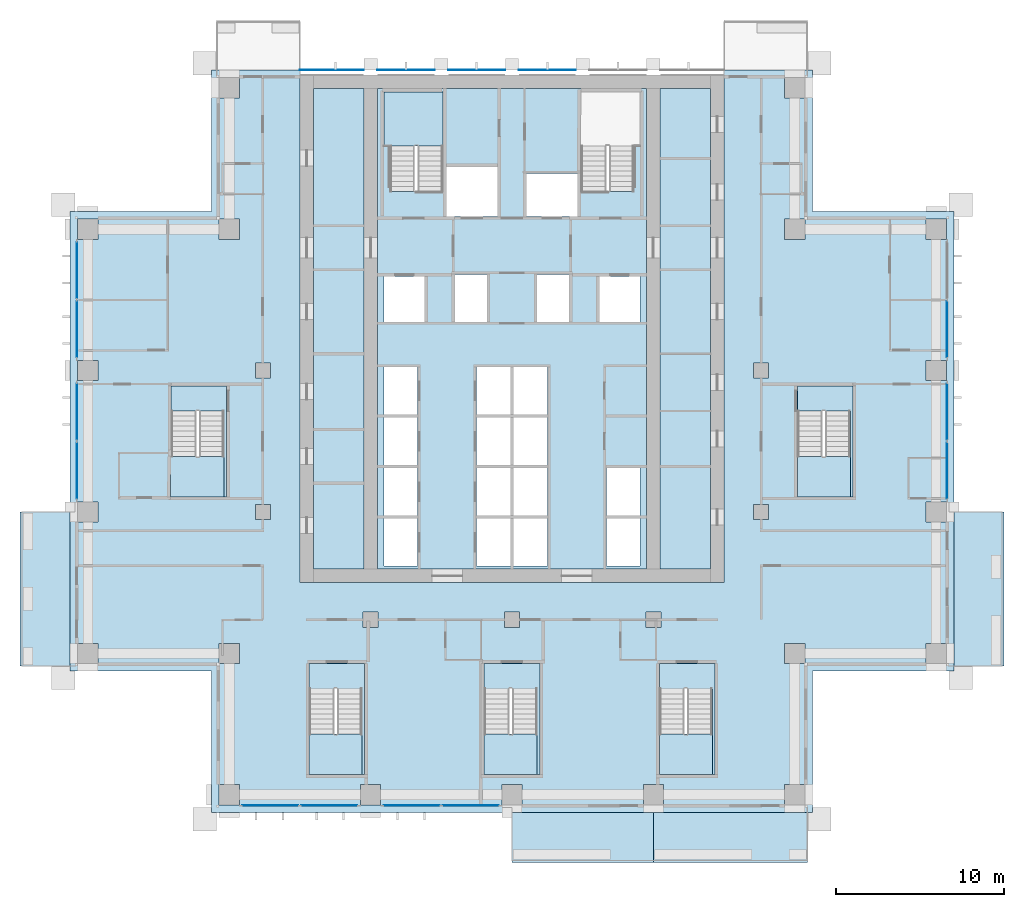
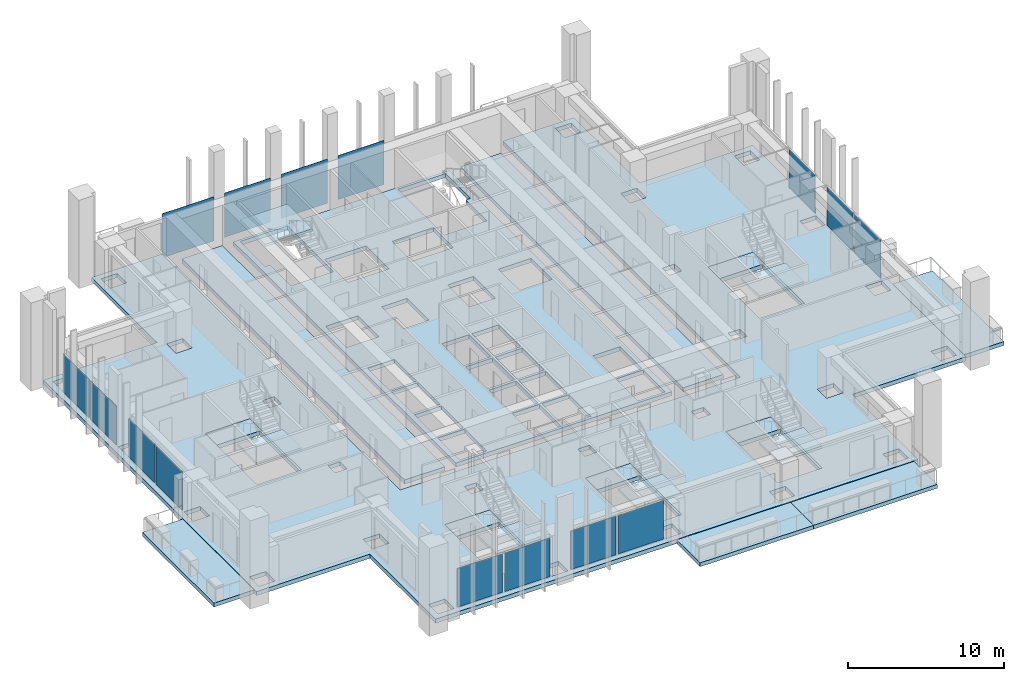
# One storey, part 7 of 19: 19 slabs, 15 plates, 12 elements without a shape of their own.
"""IFC4 building model written with IfcOpenShell, lengths in metres."""

from ifc_helpers import new_model, si_unit, direction, frame, origin, origin_2d, place, context, subcontext, project, spatial, polyline, rectangle, outline, extrude, material, layer, layer_set, type_object, element, aggregate, save


model = new_model("IFC4")

# Units and contexts
model_context = context("Model", 3, precision=1e-05, world=origin(), true_north=direction((0.0, 1.0)))
body_context = subcontext(model_context, "Body", "Model", "MODEL_VIEW")
ifc_project = project(units=[si_unit("LENGTHUNIT", "METRE"), si_unit("AREAUNIT", "SQUARE_METRE"), si_unit("VOLUMEUNIT", "CUBIC_METRE"), si_unit("PLANEANGLEUNIT", "RADIAN"), si_unit("MASSUNIT", "GRAM", prefix="KILO")], contexts=[model_context])

# Site, building, storey
site_placement = place(None, origin())
site = spatial("IfcSite", under=ifc_project, at=site_placement, CompositionType="ELEMENT")
building_placement = place(site_placement, origin())
building = spatial("IfcBuilding", under=site, at=building_placement, Name="Vermilion Ogive Tower", CompositionType="ELEMENT")
storey_placement = place(building_placement, frame((0.0, 0.0, 90.75)))
storey = spatial("IfcBuildingStorey", under=building, at=storey_placement, Name="L22", CompositionType="ELEMENT", Elevation=90.75)

# Slabs
ifc_material_1 = material(Name="Concrete B40", Category="concrete")
ifc_layer_1 = layer(ifc_material_1, 0.300048828125)
ifc_layer_set_1 = layer_set([ifc_layer_1], Name="Balcony slab")
slab_type_1 = type_object("IfcSlabType", Name="Balcony slab", PredefinedType="FLOOR", material=ifc_layer_set_1)
slab_1_placement = place(storey_placement, frame((0.0, 0.0, -0.340087890625)))
element("IfcSlab", 1, at=slab_1_placement, inside=storey, type_object=slab_type_1, Name="Balcony slab S03", PredefinedType="FLOOR", context=body_context, shape_type="SweptSolid", body=[
    extrude(outline(polyline([(0.0, -25.030029296875), (8.39990234375, -25.030029296875), (8.39990234375, -22.050048828125), (0.0, -22.050048828125), (0.0, -25.030029296875)])), origin(), (0.0, 0.0, 1.0), 0.300048828125),
])
slab_2_placement = place(storey_placement, frame((0.0, 0.0, -0.340087890625)))
element("IfcSlab", 2, at=slab_2_placement, inside=storey, type_object=slab_type_1, Name="Balcony slab S04", PredefinedType="FLOOR", context=body_context, shape_type="SweptSolid", body=[
    extrude(outline(polyline([(8.39990234375, -25.030029296875), (17.550048828125, -25.030029296875), (17.550048828125, -22.050048828125), (8.39990234375, -22.050048828125), (8.39990234375, -25.030029296875)])), origin(), (0.0, 0.0, 1.0), 0.300048828125),
])
slab_3_placement = place(storey_placement, frame((0.0, 0.0, -0.340087890625)))
element("IfcSlab", 3, at=slab_3_placement, inside=storey, type_object=slab_type_1, Name="Balcony slab E01", PredefinedType="FLOOR", context=body_context, shape_type="SweptSolid", body=[
    extrude(outline(polyline([(29.22998046875, -13.35009765625), (29.22998046875, -4.199951171875), (26.25, -4.199951171875), (26.25, -13.35009765625), (29.22998046875, -13.35009765625)])), origin(), (0.0, 0.0, 1.0), 0.300048828125),
])
slab_4_placement = place(storey_placement, frame((0.0, 0.0, -0.340087890625)))
element("IfcSlab", 4, at=slab_4_placement, inside=storey, type_object=slab_type_1, Name="Balcony slab W03", PredefinedType="FLOOR", context=body_context, shape_type="SweptSolid", body=[
    extrude(outline(polyline([(-29.22998046875, -4.199951171875), (-29.22998046875, -13.35009765625), (-26.25, -13.35009765625), (-26.25, -4.199951171875), (-29.22998046875, -4.199951171875)])), origin(), (0.0, 0.0, 1.0), 0.300048828125),
])

# Curtain wall, plates
ifc_material_2 = material(Name="Low-iron laminated glazing in aluminium frame", Category="aluminium")
curtain_wall_type = type_object("IfcCurtainWallType", Name="Curtain wall CW7", PredefinedType="NOTDEFINED", material=ifc_material_2)
curtain_wall_1_placement = place(storey_placement, origin())
curtain_wall_1 = element("IfcCurtainWall", 5, at=curtain_wall_1_placement, inside=storey, type_object=curtain_wall_type, Name="Glazed skin S1", PredefinedType="NOTDEFINED")
ifc_material_3 = material(Name="Low-iron laminated glazing in aluminium frame", Category="aluminium")
ifc_layer_2 = layer(ifc_material_3, 0.031982421875)
ifc_layer_set_2 = layer_set([ifc_layer_2], Name="CW7 glazing panel 32")
plate_type_1 = type_object("IfcPlateType", Name="CW7 glazing panel 32", PredefinedType="CURTAIN_PANEL", material=ifc_layer_set_2)
plate_1_placement = place(storey_placement, frame((-14.35498046875, -21.64990234375, 0.06005859375), z_axis=(0.0, 0.0, 1.0), x_axis=(1.0, 0.0, 0.0)))
plate_1 = element("IfcPlate", 6, at=plate_1_placement, type_object=plate_type_1, Name="CW7-S1 panel 1.1", PredefinedType="CURTAIN_PANEL", context=body_context, shape_type="SweptSolid", body=[
    extrude(rectangle(XDim=3.330078125, YDim=0.031982421875, at=origin_2d()), origin(), (0.0, 0.0, 1.0), 3.010009765625),
])
plate_2_placement = place(storey_placement, frame((-10.844970703125, -21.64990234375, 0.06005859375), z_axis=(0.0, 0.0, 1.0), x_axis=(1.0, 0.0, 0.0)))
plate_2 = element("IfcPlate", 7, at=plate_2_placement, type_object=plate_type_1, Name="CW7-S1 panel 2.1", PredefinedType="CURTAIN_PANEL", context=body_context, shape_type="SweptSolid", body=[
    extrude(rectangle(XDim=3.330078125, YDim=0.031982421875, at=origin_2d()), origin(), (0.0, 0.0, 1.0), 3.010009765625),
])
aggregate(curtain_wall_1, [plate_1, plate_2])

curtain_wall_2_placement = place(storey_placement, origin())
curtain_wall_2 = element("IfcCurtainWall", 8, at=curtain_wall_2_placement, inside=storey, type_object=curtain_wall_type, Name="Glazed skin S2", PredefinedType="NOTDEFINED")
plate_3_placement = place(storey_placement, frame((-5.955078125, -21.64990234375, 0.06005859375), z_axis=(0.0, 0.0, 1.0), x_axis=(1.0, 0.0, 0.0)))
plate_3 = element("IfcPlate", 9, at=plate_3_placement, type_object=plate_type_1, Name="CW7-S2 panel 1.1", PredefinedType="CURTAIN_PANEL", context=body_context, shape_type="SweptSolid", body=[
    extrude(rectangle(XDim=3.330078125, YDim=0.031982421875, at=origin_2d()), origin(), (0.0, 0.0, 1.0), 3.010009765625),
])
plate_4_placement = place(storey_placement, frame((-2.445068359375, -21.64990234375, 0.06005859375), z_axis=(0.0, 0.0, 1.0), x_axis=(1.0, 0.0, 0.0)))
plate_4 = element("IfcPlate", 10, at=plate_4_placement, type_object=plate_type_1, Name="CW7-S2 panel 2.1", PredefinedType="CURTAIN_PANEL", context=body_context, shape_type="SweptSolid", body=[
    extrude(rectangle(XDim=3.330078125, YDim=0.031982421875, at=origin_2d()), origin(), (0.0, 0.0, 1.0), 3.010009765625),
])
aggregate(curtain_wall_2, [plate_3, plate_4])

curtain_wall_3_placement = place(storey_placement, origin())
curtain_wall_3 = element("IfcCurtainWall", 11, at=curtain_wall_3_placement, inside=storey, type_object=curtain_wall_type, Name="Glazed skin E2", PredefinedType="NOTDEFINED")
plate_5_placement = place(storey_placement, frame((25.85009765625, -1.7548828125, 0.06005859375), z_axis=(0.0, 0.0, 1.0), x_axis=(0.0, 1.0, 0.0)))
plate_5 = element("IfcPlate", 12, at=plate_5_placement, type_object=plate_type_1, Name="CW7-E2 panel 1.1", PredefinedType="CURTAIN_PANEL", context=body_context, shape_type="SweptSolid", body=[
    extrude(rectangle(XDim=3.330078125, YDim=0.031982421875, at=origin_2d()), origin(), (0.0, 0.0, 1.0), 3.010009765625),
])
plate_6_placement = place(storey_placement, frame((25.85009765625, 1.7548828125, 0.06005859375), z_axis=(0.0, 0.0, 1.0), x_axis=(0.0, 1.0, 0.0)))
plate_6 = element("IfcPlate", 13, at=plate_6_placement, type_object=plate_type_1, Name="CW7-E2 panel 2.1", PredefinedType="CURTAIN_PANEL", context=body_context, shape_type="SweptSolid", body=[
    extrude(rectangle(XDim=3.330078125, YDim=0.031982421875, at=origin_2d()), origin(), (0.0, 0.0, 1.0), 3.010009765625),
])
aggregate(curtain_wall_3, [plate_5, plate_6])

# Curtain wall, plate
curtain_wall_4_placement = place(storey_placement, origin())
curtain_wall_4 = element("IfcCurtainWall", 14, at=curtain_wall_4_placement, inside=storey, type_object=curtain_wall_type, Name="Glazed skin E3", PredefinedType="NOTDEFINED")
plate_7_placement = place(storey_placement, frame((25.85009765625, 6.64501953125, 0.06005859375), z_axis=(0.0, 0.0, 1.0), x_axis=(0.0, 1.0, 0.0)))
plate_7 = element("IfcPlate", 15, at=plate_7_placement, type_object=plate_type_1, Name="CW7-E3 panel 1.1", PredefinedType="CURTAIN_PANEL", context=body_context, shape_type="SweptSolid", body=[
    extrude(rectangle(XDim=3.330078125, YDim=0.031982421875, at=origin_2d()), origin(), (0.0, 0.0, 1.0), 3.010009765625),
])
aggregate(curtain_wall_4, [plate_7])

# Curtain wall, plates
curtain_wall_5_placement = place(storey_placement, origin())
curtain_wall_5 = element("IfcCurtainWall", 16, at=curtain_wall_5_placement, inside=storey, type_object=curtain_wall_type, Name="Glazed skin W1", PredefinedType="NOTDEFINED")
plate_8_placement = place(storey_placement, frame((-25.85009765625, 10.155029296875, 0.06005859375), z_axis=(0.0, 0.0, 1.0), x_axis=(0.0, -1.0, 0.0)))
plate_8 = element("IfcPlate", 17, at=plate_8_placement, type_object=plate_type_1, Name="CW7-W1 panel 1.1", PredefinedType="CURTAIN_PANEL", context=body_context, shape_type="SweptSolid", body=[
    extrude(rectangle(XDim=3.330078125, YDim=0.031982421875, at=origin_2d()), origin(), (0.0, 0.0, 1.0), 3.010009765625),
])
plate_9_placement = place(storey_placement, frame((-25.85009765625, 6.64501953125, 0.06005859375), z_axis=(0.0, 0.0, 1.0), x_axis=(0.0, -1.0, 0.0)))
plate_9 = element("IfcPlate", 18, at=plate_9_placement, type_object=plate_type_1, Name="CW7-W1 panel 2.1", PredefinedType="CURTAIN_PANEL", context=body_context, shape_type="SweptSolid", body=[
    extrude(rectangle(XDim=3.330078125, YDim=0.031982421875, at=origin_2d()), origin(), (0.0, 0.0, 1.0), 3.010009765625),
])
aggregate(curtain_wall_5, [plate_8, plate_9])

curtain_wall_6_placement = place(storey_placement, origin())
curtain_wall_6 = element("IfcCurtainWall", 19, at=curtain_wall_6_placement, inside=storey, type_object=curtain_wall_type, Name="Glazed skin W2", PredefinedType="NOTDEFINED")
plate_10_placement = place(storey_placement, frame((-25.85009765625, 1.7548828125, 0.06005859375), z_axis=(0.0, 0.0, 1.0), x_axis=(0.0, -1.0, 0.0)))
plate_10 = element("IfcPlate", 20, at=plate_10_placement, type_object=plate_type_1, Name="CW7-W2 panel 1.1", PredefinedType="CURTAIN_PANEL", context=body_context, shape_type="SweptSolid", body=[
    extrude(rectangle(XDim=3.330078125, YDim=0.031982421875, at=origin_2d()), origin(), (0.0, 0.0, 1.0), 3.010009765625),
])
plate_11_placement = place(storey_placement, frame((-25.85009765625, -1.7548828125, 0.06005859375), z_axis=(0.0, 0.0, 1.0), x_axis=(0.0, -1.0, 0.0)))
plate_11 = element("IfcPlate", 21, at=plate_11_placement, type_object=plate_type_1, Name="CW7-W2 panel 2.1", PredefinedType="CURTAIN_PANEL", context=body_context, shape_type="SweptSolid", body=[
    extrude(rectangle(XDim=3.330078125, YDim=0.031982421875, at=origin_2d()), origin(), (0.0, 0.0, 1.0), 3.010009765625),
])
aggregate(curtain_wall_6, [plate_10, plate_11])

# Slabs
ifc_material_4 = material(Name="Concrete B40", Category="concrete")
ifc_layer_3 = layer(ifc_material_4, 0.320068359375)
ifc_layer_set_3 = layer_set([ifc_layer_3], Name="Core floor slab 320 B40")
slab_type_2 = type_object("IfcSlabType", Name="Core floor slab 320 B40", PredefinedType="FLOOR", material=ifc_layer_set_3)
slab_5_placement = place(storey_placement, frame((0.0, 0.0, -0.320068359375)))
element("IfcSlab", 22, at=slab_5_placement, inside=storey, type_object=slab_type_2, Name="L22-CK-FS1", PredefinedType="FLOOR", context=body_context, shape_type="SweptSolid", body=[
    extrude(outline(polyline([(-8.803955078125, 20.946044921875), (-8.803955078125, -7.595947265625), (-11.7958984375, -7.595947265625), (-11.7958984375, 20.946044921875), (-8.803955078125, 20.946044921875)])), origin(), (0.0, 0.0, 1.0), 0.320068359375),
])
slab_6_placement = place(storey_placement, frame((0.0, 0.0, -0.320068359375)))
element("IfcSlab", 23, at=slab_6_placement, inside=storey, type_object=slab_type_2, Name="L22-CK-FS2", PredefinedType="FLOOR", context=body_context, shape_type="SweptSolid", body=[
    extrude(outline(polyline([(-7.99609375, 20.946044921875), (-7.99609375, -7.595947265625), (7.99609375, -7.595947265625), (7.99609375, 20.946044921875), (-7.99609375, 20.946044921875)]), holes=[polyline([(-7.60009765625, -4.60009765625), (-5.60009765625, -4.60009765625), (-5.60009765625, -7.39990234375), (-7.60009765625, -7.39990234375), (-7.60009765625, -4.60009765625)]), polyline([(-2.10009765625, -4.60009765625), (-0.10009765625, -4.60009765625), (-0.10009765625, -7.39990234375), (-2.10009765625, -7.39990234375), (-2.10009765625, -4.60009765625)]), polyline([(-7.60009765625, -4.39990234375), (-7.60009765625, -1.60009765625), (-5.60009765625, -1.60009765625), (-5.60009765625, -4.39990234375), (-7.60009765625, -4.39990234375)]), polyline([(-2.10009765625, -1.60009765625), (-0.10009765625, -1.60009765625), (-0.10009765625, -4.39990234375), (-2.10009765625, -4.39990234375), (-2.10009765625, -1.60009765625)]), polyline([(-7.60009765625, -1.39990234375), (-7.60009765625, 1.39990234375), (-5.60009765625, 1.39990234375), (-5.60009765625, -1.39990234375), (-7.60009765625, -1.39990234375)]), polyline([(-2.10009765625, 1.39990234375), (-0.10009765625, 1.39990234375), (-0.10009765625, -1.39990234375), (-2.10009765625, -1.39990234375), (-2.10009765625, 1.39990234375)]), polyline([(-7.60009765625, 4.39990234375), (-5.60009765625, 4.39990234375), (-5.60009765625, 1.60009765625), (-7.60009765625, 1.60009765625), (-7.60009765625, 4.39990234375)]), polyline([(-2.10009765625, 4.39990234375), (-0.10009765625, 4.39990234375), (-0.10009765625, 1.60009765625), (-2.10009765625, 1.60009765625), (-2.10009765625, 4.39990234375)]), polyline([(-7.60009765625, 9.800048828125), (-5.199951171875, 9.800048828125), (-5.199951171875, 7.10009765625), (-7.60009765625, 7.10009765625), (-7.60009765625, 9.800048828125)]), polyline([(-3.39990234375, 9.89990234375), (-1.5, 9.89990234375), (-1.5, 7.10009765625), (-3.39990234375, 7.10009765625), (-3.39990234375, 9.89990234375)]), polyline([(-3.89990234375, 16.300048828125), (-0.85009765625, 16.300048828125), (-0.85009765625, 13.35009765625), (-3.89990234375, 13.35009765625), (-3.89990234375, 16.300048828125)]), polyline([(-7.60009765625, 17.550048828125), (-7.60009765625, 20.75), (-4.10009765625, 20.75), (-4.10009765625, 14.85205078125), (-5.60009765625, 14.85205078125), (-5.60009765625, 14.85009765625), (-5.75, 14.85009765625), (-5.75, 14.85205078125), (-7.25, 14.85205078125), (-7.25, 17.550048828125), (-7.60009765625, 17.550048828125)]), polyline([(0.10009765625, -4.60009765625), (2.10009765625, -4.60009765625), (2.10009765625, -7.39990234375), (0.10009765625, -7.39990234375), (0.10009765625, -4.60009765625)]), polyline([(5.60009765625, -4.60009765625), (7.60009765625, -4.60009765625), (7.60009765625, -7.39990234375), (5.60009765625, -7.39990234375), (5.60009765625, -4.60009765625)]), polyline([(0.10009765625, -1.60009765625), (2.10009765625, -1.60009765625), (2.10009765625, -4.39990234375), (0.10009765625, -4.39990234375), (0.10009765625, -1.60009765625)]), polyline([(5.60009765625, -1.60009765625), (7.60009765625, -1.60009765625), (7.60009765625, -4.39990234375), (5.60009765625, -4.39990234375), (5.60009765625, -1.60009765625)]), polyline([(0.10009765625, 1.39990234375), (2.10009765625, 1.39990234375), (2.10009765625, -1.39990234375), (0.10009765625, -1.39990234375), (0.10009765625, 1.39990234375)]), polyline([(0.10009765625, 4.39990234375), (2.10009765625, 4.39990234375), (2.10009765625, 1.60009765625), (0.10009765625, 1.60009765625), (0.10009765625, 4.39990234375)]), polyline([(5.199951171875, 9.800048828125), (7.60009765625, 9.800048828125), (7.60009765625, 7.10009765625), (5.199951171875, 7.10009765625), (5.199951171875, 9.800048828125)]), polyline([(1.5, 9.89990234375), (3.39990234375, 9.89990234375), (3.39990234375, 7.10009765625), (1.5, 7.10009765625), (1.5, 9.89990234375)]), polyline([(0.85009765625, 15.89990234375), (3.89990234375, 15.89990234375), (3.89990234375, 13.35009765625), (0.85009765625, 13.35009765625), (0.85009765625, 15.89990234375)]), polyline([(5.75, 14.85009765625), (5.60009765625, 14.85009765625), (5.60009765625, 14.85205078125), (4.10009765625, 14.85205078125), (4.10009765625, 17.550048828125), (4.074951171875, 17.550048828125), (4.074951171875, 20.75), (7.60009765625, 20.75), (7.60009765625, 17.550048828125), (7.25, 17.550048828125), (7.25, 14.85205078125), (5.75, 14.85205078125), (5.75, 14.85009765625)])]), origin(), (0.0, 0.0, 1.0), 0.320068359375),
])
slab_7_placement = place(storey_placement, frame((0.0, 0.0, -0.320068359375)))
element("IfcSlab", 24, at=slab_7_placement, inside=storey, type_object=slab_type_2, Name="L22-CK-FS3", PredefinedType="FLOOR", context=body_context, shape_type="SweptSolid", body=[
    extrude(outline(polyline([(11.7958984375, -7.595947265625), (8.803955078125, -7.595947265625), (8.803955078125, 20.946044921875), (11.7958984375, 20.946044921875), (11.7958984375, -7.595947265625)])), origin(), (0.0, 0.0, 1.0), 0.320068359375),
])
slab_8_placement = place(storey_placement, frame((0.0, 0.0, -0.320068359375)))
element("IfcSlab", 25, at=slab_8_placement, inside=storey, type_object=slab_type_2, Name="L22-SF-ST3-1", PredefinedType="FLOOR", context=body_context, shape_type="SweptSolid", body=[
    extrude(outline(polyline([(-12.050048828125, -13.199951171875), (-12.050048828125, -14.701904296875), (-10.550048828125, -14.701904296875), (-10.550048828125, -14.699951171875), (-10.39990234375, -14.699951171875), (-10.39990234375, -14.701904296875), (-8.89990234375, -14.701904296875), (-8.89990234375, -19.800048828125), (-8.75, -19.800048828125), (-8.75, -13.199951171875), (-12.050048828125, -13.199951171875)])), origin(), (0.0, 0.0, 1.0), 0.320068359375),
])
slab_9_placement = place(storey_placement, frame((0.0, 0.0, -0.320068359375)))
element("IfcSlab", 26, at=slab_9_placement, inside=storey, type_object=slab_type_2, Name="L22-SF-ST4-1", PredefinedType="FLOOR", context=body_context, shape_type="SweptSolid", body=[
    extrude(outline(polyline([(-1.64990234375, -13.199951171875), (-1.64990234375, -14.701904296875), (-0.14990234375, -14.701904296875), (-0.14990234375, -14.699951171875), (0.0, -14.699951171875), (0.0, -14.701904296875), (1.5, -14.701904296875), (1.5, -19.800048828125), (1.64990234375, -19.800048828125), (1.64990234375, -13.199951171875), (-1.64990234375, -13.199951171875)])), origin(), (0.0, 0.0, 1.0), 0.320068359375),
])
slab_10_placement = place(storey_placement, frame((0.0, 0.0, -0.320068359375)))
element("IfcSlab", 27, at=slab_10_placement, inside=storey, type_object=slab_type_2, Name="L22-SF-ST5-1", PredefinedType="FLOOR", context=body_context, shape_type="SweptSolid", body=[
    extrude(outline(polyline([(8.75, -13.199951171875), (8.75, -14.701904296875), (10.25, -14.701904296875), (10.25, -14.699951171875), (10.39990234375, -14.699951171875), (10.39990234375, -14.701904296875), (11.89990234375, -14.701904296875), (11.89990234375, -19.800048828125), (12.050048828125, -19.800048828125), (12.050048828125, -13.199951171875), (8.75, -13.199951171875)])), origin(), (0.0, 0.0, 1.0), 0.320068359375),
])
slab_11_placement = place(storey_placement, frame((0.0, 0.0, -0.320068359375)))
element("IfcSlab", 28, at=slab_11_placement, inside=storey, type_object=slab_type_2, Name="L22-SF-ST8-1", PredefinedType="FLOOR", context=body_context, shape_type="SweptSolid", body=[
    extrude(outline(polyline([(16.949951171875, 3.300048828125), (16.949951171875, 1.798095703125), (18.449951171875, 1.798095703125), (18.449951171875, 1.800048828125), (18.60009765625, 1.800048828125), (18.60009765625, 1.798095703125), (20.10009765625, 1.798095703125), (20.10009765625, -3.300048828125), (20.25, -3.300048828125), (20.25, 3.300048828125), (16.949951171875, 3.300048828125)])), origin(), (0.0, 0.0, 1.0), 0.320068359375),
])
slab_12_placement = place(storey_placement, frame((0.0, 0.0, -0.320068359375)))
element("IfcSlab", 29, at=slab_12_placement, inside=storey, type_object=slab_type_2, Name="L22-SF-ST9-1", PredefinedType="FLOOR", context=body_context, shape_type="SweptSolid", body=[
    extrude(outline(polyline([(-20.25, 3.300048828125), (-20.25, 1.798095703125), (-18.75, 1.798095703125), (-18.75, 1.800048828125), (-18.60009765625, 1.800048828125), (-18.60009765625, 1.798095703125), (-17.10009765625, 1.798095703125), (-17.10009765625, -3.300048828125), (-16.949951171875, -3.300048828125), (-16.949951171875, 3.300048828125), (-20.25, 3.300048828125)])), origin(), (0.0, 0.0, 1.0), 0.320068359375),
])

# Plates
ifc_material_5 = material(Name="Low-iron laminated glazing in aluminium frame", Category="aluminium")
ifc_layer_4 = layer(ifc_material_5, 0.031982421875)
ifc_layer_set_4 = layer_set([ifc_layer_4], Name="Glazed rainscreen sheet 32")
plate_type_2 = type_object("IfcPlateType", Name="Glazed rainscreen sheet 32", PredefinedType="SHEET", material=ifc_layer_set_4)
plate_12_placement = place(storey_placement, frame((-10.7099609375, 22.06591796875, -0.31982421875), z_axis=(0.0, 0.0, 1.0), x_axis=(1.0, 0.0, 0.0)))
element("IfcPlate", 30, at=plate_12_placement, inside=storey, type_object=plate_type_2, Name="Glazed rainscreen sheet N1", PredefinedType="SHEET", context=body_context, shape_type="SweptSolid", body=[
    extrude(rectangle(XDim=3.820068359375, YDim=0.031982421875, at=origin_2d()), origin(), (0.0, 0.0, 1.0), 3.449951171875),
])
for number, where, z_axis, x_axis, name in (
    (31, (-6.300048828125, 22.06591796875, -0.31982421875), (0.0, 0.0, 1.0), (1.0, 0.0, 0.0), "Glazed rainscreen sheet N2"),
    (32, (-2.10009765625, 22.06591796875, -0.31982421875), (0.0, 0.0, 1.0), (1.0, 0.0, 0.0), "Glazed rainscreen sheet N3"),
    (33, (2.10009765625, 22.06591796875, -0.31982421875), (0.0, 0.0, 1.0), (1.0, 0.0, 0.0), "Glazed rainscreen sheet N4"),
):
    element("IfcPlate", number, at=place(storey_placement, frame(where, z_axis=z_axis, x_axis=x_axis)), inside=storey, type_object=plate_type_2, Name=name, PredefinedType="SHEET", context=body_context, shape_type="SweptSolid", body=[
        extrude(rectangle(XDim=3.39990234375, YDim=0.031982421875, at=origin_2d()), origin(), (0.0, 0.0, 1.0), 3.449951171875),
    ])

# Slab
ifc_material_6 = material(Name="Concrete B45", Category="concrete")
ifc_layer_5 = layer(ifc_material_6, 0.320068359375)
ifc_layer_set_5 = layer_set([ifc_layer_5], Name="Post-tensioned flat plate 320 B45")
slab_type_3 = type_object("IfcSlabType", Name="Post-tensioned flat plate 320 B45", PredefinedType="FLOOR", material=ifc_layer_set_5)
slab_13_placement = place(storey_placement, frame((0.0, 0.0, -0.320068359375)))
element("IfcSlab", 34, at=slab_13_placement, inside=storey, type_object=slab_type_3, Name="L22-SL-1", PredefinedType="FLOOR", context=body_context, shape_type="SweptSolid", body=[
    extrude(outline(polyline([(-26.25, -13.64990234375), (-17.85009765625, -13.64990234375), (-17.85009765625, -22.050048828125), (17.85009765625, -22.050048828125), (17.85009765625, -13.64990234375), (26.25, -13.64990234375), (26.25, 13.64990234375), (17.85009765625, 13.64990234375), (17.85009765625, 22.050048828125), (12.60009765625, 22.050048828125), (12.60009765625, -8.39990234375), (-12.60009765625, -8.39990234375), (-12.60009765625, 22.050048828125), (-17.85009765625, 22.050048828125), (-17.85009765625, 13.64990234375), (-26.25, 13.64990234375), (-26.25, -13.64990234375)]), holes=[polyline([(25.800048828125, -3.60009765625), (25.800048828125, -4.800048828125), (24.60009765625, -4.800048828125), (24.60009765625, -3.60009765625), (25.800048828125, -3.60009765625)]), polyline([(25.800048828125, -12.0), (25.800048828125, -13.199951171875), (24.60009765625, -13.199951171875), (24.60009765625, -12.0), (25.800048828125, -12.0)]), polyline([(25.800048828125, 12.0), (24.60009765625, 12.0), (24.60009765625, 13.199951171875), (25.800048828125, 13.199951171875), (25.800048828125, 12.0)]), polyline([(25.800048828125, 3.60009765625), (24.60009765625, 3.60009765625), (24.60009765625, 4.800048828125), (25.800048828125, 4.800048828125), (25.800048828125, 3.60009765625)]), polyline([(20.25, -3.2998046875), (20.25, -3.300048828125), (16.949951171875, -3.300048828125), (16.949951171875, 3.300048828125), (20.25, 3.300048828125), (20.25, -0.89990234375), (20.275146484375, -0.89990234375), (20.275146484375, -3.2998046875), (20.25, -3.2998046875)]), polyline([(17.39990234375, -12.0), (17.39990234375, -13.199951171875), (16.199951171875, -13.199951171875), (16.199951171875, -12.0), (17.39990234375, -12.0)]), polyline([(17.39990234375, 20.39990234375), (16.199951171875, 20.39990234375), (16.199951171875, 21.60009765625), (17.39990234375, 21.60009765625), (17.39990234375, 20.39990234375)]), polyline([(17.39990234375, -20.39990234375), (17.39990234375, -21.60009765625), (16.199951171875, -21.60009765625), (16.199951171875, -20.39990234375), (17.39990234375, -20.39990234375)]), polyline([(17.39990234375, 13.199951171875), (17.39990234375, 12.0), (16.199951171875, 12.0), (16.199951171875, 13.199951171875), (17.39990234375, 13.199951171875)]), polyline([(15.25, 4.64990234375), (15.25, 3.75), (14.35009765625, 3.75), (14.35009765625, 4.64990234375), (15.25, 4.64990234375)]), polyline([(15.25, -4.64990234375), (14.35009765625, -4.64990234375), (14.35009765625, -3.75), (15.25, -3.75), (15.25, -4.64990234375)]), polyline([(12.050048828125, -13.199951171875), (12.050048828125, -19.800048828125), (8.75, -19.800048828125), (8.75, -13.199951171875), (12.050048828125, -13.199951171875)]), polyline([(9.0, -20.39990234375), (9.0, -21.60009765625), (7.800048828125, -21.60009765625), (7.800048828125, -20.39990234375), (9.0, -20.39990234375)]), polyline([(8.85009765625, -11.050048828125), (7.949951171875, -11.050048828125), (7.949951171875, -10.14990234375), (8.85009765625, -10.14990234375), (8.85009765625, -11.050048828125)]), polyline([(1.64990234375, -13.199951171875), (1.64990234375, -19.800048828125), (-1.64990234375, -19.800048828125), (-1.64990234375, -13.199951171875), (1.64990234375, -13.199951171875)]), polyline([(0.60009765625, -20.39990234375), (0.60009765625, -21.60009765625), (-0.60009765625, -21.60009765625), (-0.60009765625, -20.39990234375), (0.60009765625, -20.39990234375)]), polyline([(0.449951171875, -10.14990234375), (0.449951171875, -11.050048828125), (-0.449951171875, -11.050048828125), (-0.449951171875, -10.14990234375), (0.449951171875, -10.14990234375)]), polyline([(-7.800048828125, -20.39990234375), (-7.800048828125, -21.60009765625), (-9.0, -21.60009765625), (-9.0, -20.39990234375), (-7.800048828125, -20.39990234375)]), polyline([(-7.949951171875, -10.14990234375), (-7.949951171875, -11.050048828125), (-8.85009765625, -11.050048828125), (-8.85009765625, -10.14990234375), (-7.949951171875, -10.14990234375)]), polyline([(-8.75, -13.199951171875), (-8.75, -19.800048828125), (-12.050048828125, -19.800048828125), (-12.050048828125, -13.199951171875), (-8.75, -13.199951171875)]), polyline([(-14.35009765625, 4.64990234375), (-14.35009765625, 3.75), (-15.25, 3.75), (-15.25, 4.64990234375), (-14.35009765625, 4.64990234375)]), polyline([(-14.35009765625, -4.64990234375), (-15.25, -4.64990234375), (-15.25, -3.75), (-14.35009765625, -3.75), (-14.35009765625, -4.64990234375)]), polyline([(-16.199951171875, 13.199951171875), (-16.199951171875, 12.0), (-17.39990234375, 12.0), (-17.39990234375, 13.199951171875), (-16.199951171875, 13.199951171875)]), polyline([(-16.199951171875, -12.0), (-16.199951171875, -13.199951171875), (-17.39990234375, -13.199951171875), (-17.39990234375, -12.0), (-16.199951171875, -12.0)]), polyline([(-16.199951171875, -20.39990234375), (-16.199951171875, -21.60009765625), (-17.39990234375, -21.60009765625), (-17.39990234375, -20.39990234375), (-16.199951171875, -20.39990234375)]), polyline([(-16.199951171875, 20.39990234375), (-17.39990234375, 20.39990234375), (-17.39990234375, 21.60009765625), (-16.199951171875, 21.60009765625), (-16.199951171875, 20.39990234375)]), polyline([(-16.949951171875, 3.300048828125), (-16.949951171875, -3.300048828125), (-20.25, -3.300048828125), (-20.25, 3.300048828125), (-16.949951171875, 3.300048828125)]), polyline([(-24.60009765625, 3.60009765625), (-25.800048828125, 3.60009765625), (-25.800048828125, 4.800048828125), (-24.60009765625, 4.800048828125), (-24.60009765625, 3.60009765625)]), polyline([(-24.60009765625, 13.199951171875), (-24.60009765625, 12.0), (-25.800048828125, 12.0), (-25.800048828125, 13.199951171875), (-24.60009765625, 13.199951171875)]), polyline([(-24.60009765625, -3.60009765625), (-24.60009765625, -4.800048828125), (-25.800048828125, -4.800048828125), (-25.800048828125, -3.60009765625), (-24.60009765625, -3.60009765625)]), polyline([(-24.60009765625, -12.0), (-24.60009765625, -13.199951171875), (-25.800048828125, -13.199951171875), (-25.800048828125, -12.0), (-24.60009765625, -12.0)])]), origin(), (0.0, 0.0, 1.0), 0.320068359375),
])

# Stair, slab
ifc_material_7 = material(Name="Concrete B40", Category="concrete")
stair_type = type_object("IfcStairType", Name="Exit stair 1500", PredefinedType="HALF_TURN_STAIR", material=ifc_material_7)
stair_1_placement = place(storey_placement, origin())
stair_1 = element("IfcStair", 35, at=stair_1_placement, inside=storey, type_object=stair_type, Name="L22 Exit Stair ST1", PredefinedType="HALF_TURN_STAIR")
ifc_material_8 = material(Name="Concrete B40", Category="concrete")
ifc_layer_6 = layer(ifc_material_8, 0.199951171875)
ifc_layer_set_6 = layer_set([ifc_layer_6], Name="Stair landing 200")
slab_type_4 = type_object("IfcSlabType", Name="Stair landing 200", PredefinedType="LANDING", material=ifc_layer_set_6)
slab_14_placement = place(storey_placement, frame((0.0, 0.0, 1.52490234375)))
slab_14 = element("IfcSlab", 36, at=slab_14_placement, type_object=slab_type_4, Name="ST1 landing 1", PredefinedType="LANDING", context=body_context, shape_type="SweptSolid", body=[
    extrude(outline(polyline([(-7.60009765625, 17.550048828125), (-7.25, 17.550048828125), (-7.25, 17.548095703125), (-5.75, 17.548095703125), (-5.75, 17.550048828125), (-5.60009765625, 17.550048828125), (-5.60009765625, 17.548095703125), (-4.10009765625, 17.548095703125), (-4.10009765625, 20.75), (-7.60009765625, 20.75), (-7.60009765625, 17.550048828125)])), origin(), (0.0, 0.0, 1.0), 0.2001953125),
])
aggregate(stair_1, [slab_14])

stair_2_placement = place(storey_placement, origin())
stair_2 = element("IfcStair", 37, at=stair_2_placement, inside=storey, type_object=stair_type, Name="L22 Exit Stair ST3", PredefinedType="HALF_TURN_STAIR")
slab_15_placement = place(storey_placement, frame((0.0, 0.0, 1.52490234375)))
slab_15 = element("IfcSlab", 38, at=slab_15_placement, type_object=slab_type_4, Name="ST3 landing 1", PredefinedType="LANDING", context=body_context, shape_type="SweptSolid", body=[
    extrude(outline(polyline([(-8.75, -17.39990234375), (-8.89990234375, -17.39990234375), (-8.89990234375, -17.39794921875), (-10.39990234375, -17.39794921875), (-10.39990234375, -17.39990234375), (-10.550048828125, -17.39990234375), (-10.550048828125, -17.39794921875), (-12.050048828125, -17.39794921875), (-12.050048828125, -19.800048828125), (-8.75, -19.800048828125), (-8.75, -17.39990234375)])), origin(), (0.0, 0.0, 1.0), 0.2001953125),
])
aggregate(stair_2, [slab_15])

stair_3_placement = place(storey_placement, origin())
stair_3 = element("IfcStair", 39, at=stair_3_placement, inside=storey, type_object=stair_type, Name="L22 Exit Stair ST4", PredefinedType="HALF_TURN_STAIR")
slab_16_placement = place(storey_placement, frame((0.0, 0.0, 1.52490234375)))
slab_16 = element("IfcSlab", 40, at=slab_16_placement, type_object=slab_type_4, Name="ST4 landing 1", PredefinedType="LANDING", context=body_context, shape_type="SweptSolid", body=[
    extrude(outline(polyline([(1.64990234375, -17.39990234375), (1.5, -17.39990234375), (1.5, -17.39794921875), (0.0, -17.39794921875), (0.0, -17.39990234375), (-0.14990234375, -17.39990234375), (-0.14990234375, -17.39794921875), (-1.64990234375, -17.39794921875), (-1.64990234375, -19.7998046875), (1.64990234375, -19.7998046875), (1.64990234375, -17.39990234375)])), origin(), (0.0, 0.0, 1.0), 0.2001953125),
])
aggregate(stair_3, [slab_16])

stair_4_placement = place(storey_placement, origin())
stair_4 = element("IfcStair", 41, at=stair_4_placement, inside=storey, type_object=stair_type, Name="L22 Exit Stair ST5", PredefinedType="HALF_TURN_STAIR")
slab_17_placement = place(storey_placement, frame((0.0, 0.0, 1.52490234375)))
slab_17 = element("IfcSlab", 42, at=slab_17_placement, type_object=slab_type_4, Name="ST5 landing 1", PredefinedType="LANDING", context=body_context, shape_type="SweptSolid", body=[
    extrude(outline(polyline([(12.050048828125, -17.39990234375), (11.89990234375, -17.39990234375), (11.89990234375, -17.39794921875), (10.39990234375, -17.39794921875), (10.39990234375, -17.39990234375), (10.25, -17.39990234375), (10.25, -17.39794921875), (8.75, -17.39794921875), (8.75, -19.800048828125), (12.050048828125, -19.800048828125), (12.050048828125, -17.39990234375)])), origin(), (0.0, 0.0, 1.0), 0.2001953125),
])
aggregate(stair_4, [slab_17])

stair_5_placement = place(storey_placement, origin())
stair_5 = element("IfcStair", 43, at=stair_5_placement, inside=storey, type_object=stair_type, Name="L22 Exit Stair ST8", PredefinedType="HALF_TURN_STAIR")
slab_18_placement = place(storey_placement, frame((0.0, 0.0, 1.52490234375)))
slab_18 = element("IfcSlab", 44, at=slab_18_placement, type_object=slab_type_4, Name="ST8 landing 1", PredefinedType="LANDING", context=body_context, shape_type="SweptSolid", body=[
    extrude(outline(polyline([(20.25, -0.89990234375), (20.10009765625, -0.89990234375), (20.10009765625, -0.89794921875), (18.60009765625, -0.89794921875), (18.60009765625, -0.89990234375), (18.449951171875, -0.89990234375), (18.449951171875, -0.89794921875), (16.949951171875, -0.89794921875), (16.949951171875, -0.902099609375), (16.9501953125, -0.902099609375), (16.9501953125, -3.2998046875), (20.25, -3.2998046875), (20.25, -0.89990234375)])), origin(), (0.0, 0.0, 1.0), 0.2001953125),
])
aggregate(stair_5, [slab_18])

stair_6_placement = place(storey_placement, origin())
stair_6 = element("IfcStair", 45, at=stair_6_placement, inside=storey, type_object=stair_type, Name="L22 Exit Stair ST9", PredefinedType="HALF_TURN_STAIR")
slab_19_placement = place(storey_placement, frame((0.0, 0.0, 1.52490234375)))
slab_19 = element("IfcSlab", 46, at=slab_19_placement, type_object=slab_type_4, Name="ST9 landing 1", PredefinedType="LANDING", context=body_context, shape_type="SweptSolid", body=[
    extrude(outline(polyline([(-16.9501953125, -0.89990234375), (-17.10009765625, -0.89990234375), (-17.10009765625, -0.89794921875), (-18.60009765625, -0.89794921875), (-18.60009765625, -0.89990234375), (-18.75, -0.89990234375), (-18.75, -0.89794921875), (-20.25, -0.89794921875), (-20.25, -0.89990234375), (-20.275146484375, -0.89990234375), (-20.275146484375, -3.2998046875), (-16.9501953125, -3.2998046875), (-16.9501953125, -0.89990234375)])), origin(), (0.0, 0.0, 1.0), 0.2001953125),
])
aggregate(stair_6, [slab_19])

save(model, "model.ifc")
